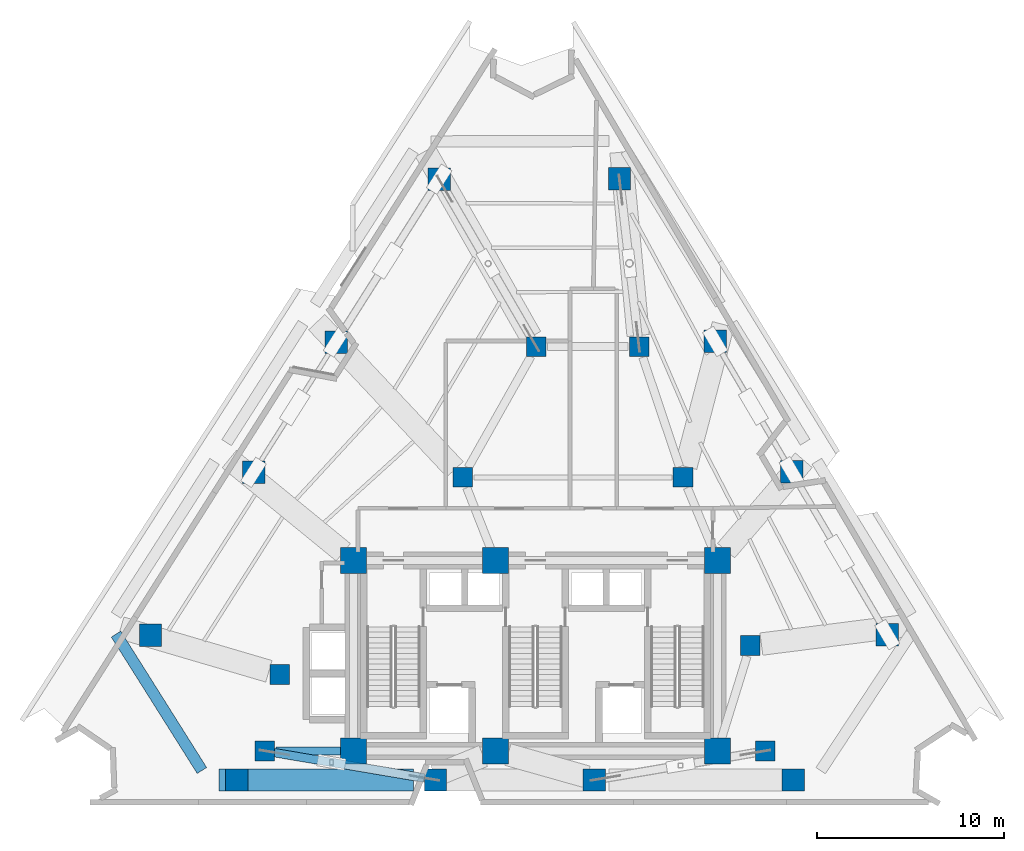
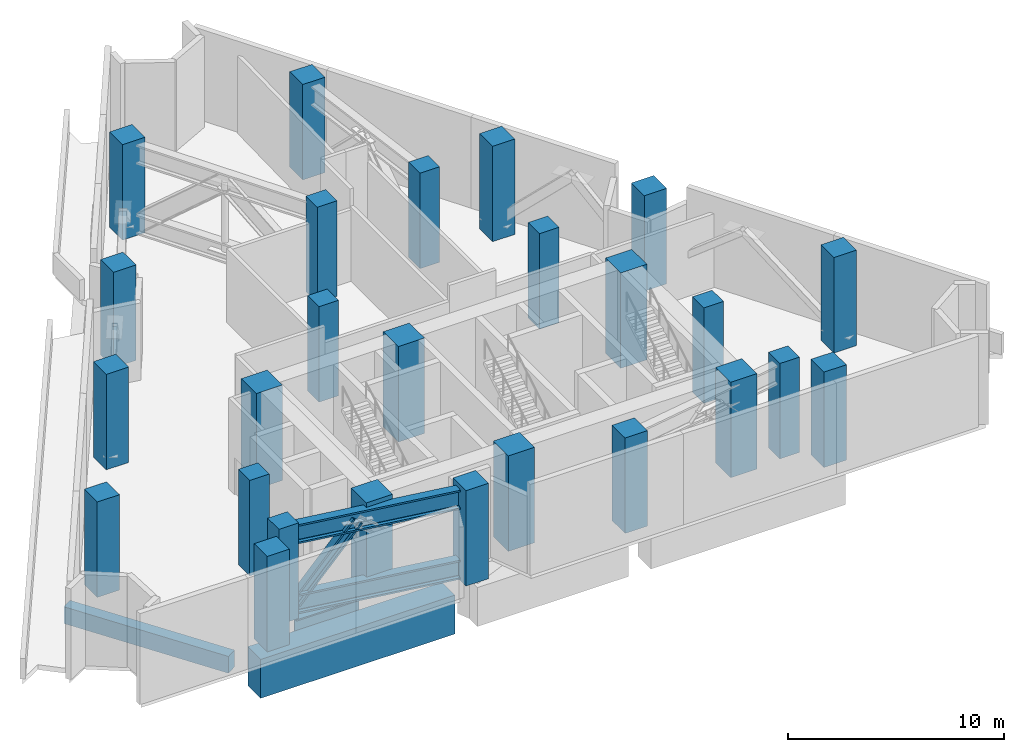
# One storey, part 1 of 9: 26 columns, 5 beams, 1 member.
"""IFC4 building model written with IfcOpenShell, lengths in metres."""

from ifc_helpers import new_model, si_unit, direction, frame, origin, origin_2d, place, context, subcontext, project, spatial, rectangle, i_section, extrude, material, material_profile, profile_set, type_object, element, save


model = new_model("IFC4")

# Units and contexts
model_context = context("Model", 3, precision=1e-05, world=origin(), true_north=direction((0.0, 1.0)))
body_context = subcontext(model_context, "Body", "Model", "MODEL_VIEW")
ifc_project = project(units=[si_unit("LENGTHUNIT", "METRE"), si_unit("AREAUNIT", "SQUARE_METRE"), si_unit("VOLUMEUNIT", "CUBIC_METRE"), si_unit("PLANEANGLEUNIT", "RADIAN"), si_unit("MASSUNIT", "GRAM", prefix="KILO")], contexts=[model_context])

# Site, building, storey
site_placement = place(None, origin())
site = spatial("IfcSite", under=ifc_project, at=site_placement, CompositionType="ELEMENT")
building_placement = place(site_placement, origin())
building = spatial("IfcBuilding", under=site, at=building_placement, Name="Almagre Mirador Tower", CompositionType="ELEMENT")
storey_placement = place(building_placement, frame((0.0, 0.0, 105.0)))
storey = spatial("IfcBuildingStorey", under=building, at=storey_placement, Name="L26", CompositionType="ELEMENT", Elevation=105.0)

# Columns
ifc_material_1 = material(Name="Concrete C60/75", Category="concrete")
ifc_material_profile_1 = material_profile(ifc_material_1, rectangle(XDim=1.050048828125, YDim=1.050048828125, at=origin_2d()), Name="RC1050X1050")
ifc_profile_set_1 = profile_set([ifc_material_profile_1], Name="Concrete C60/75")
column_type_1 = type_object("IfcColumnType", Name="COL-RC1050", PredefinedType="COLUMN", material=ifc_profile_set_1)
for number, where, z_axis, x_axis, name in (
    (1, (22.800048828125, 4.550048828125, 0.0), (0.0, 0.0, 1.0), (1.0, 0.0, 0.0), "L26 interior transfer column MC1"),
    (2, (49.60009765625, 4.550048828125, 0.0), (0.0, 0.0, 1.0), (1.0, 0.0, 0.0), "L26 interior transfer column MC2"),
    (3, (48.800048828125, 10.199951171875, 0.0), (0.0, 0.0, 1.0), (1.0, 0.0, 0.0), "L26 interior transfer column MC3"),
    (4, (45.199951171875, 19.199951171875, 0.0), (0.0, 0.0, 1.0), (1.0, 0.0, 0.0), "L26 interior transfer column MC5"),
    (5, (42.85009765625, 26.199951171875, 0.0), (0.0, 0.0, 1.0), (1.0, 0.0, 0.0), "L26 interior transfer column MC6"),
    (6, (37.35009765625, 26.199951171875, 0.0), (0.0, 0.0, 1.0), (1.0, 0.0, 0.0), "L26 interior transfer column MC7"),
    (7, (33.39990234375, 19.199951171875, 0.0), (0.0, 0.0, 1.0), (1.0, 0.0, 0.0), "L26 interior transfer column MC8"),
    (8, (23.60009765625, 8.64990234375, 0.0), (0.0, 0.0, 1.0), (1.0, 0.0, 0.0), "L26 interior transfer column MC10"),
):
    element("IfcColumn", number, at=place(storey_placement, frame(where, z_axis=z_axis, x_axis=x_axis)), inside=storey, type_object=column_type_1, Name=name, PredefinedType="COLUMN", context=body_context, shape_type="SweptSolid", body=[
        extrude(rectangle(XDim=1.050048828125, YDim=1.050048828125, at=origin_2d()), origin(), (0.0, 0.0, 1.0), 5.39990234375),
    ])
ifc_material_2 = material(Name="Concrete C60/75", Category="concrete")
ifc_material_profile_2 = material_profile(ifc_material_2, rectangle(XDim=1.199951171875, YDim=1.199951171875, at=origin_2d()), Name="RC1200X1200")
ifc_profile_set_2 = profile_set([ifc_material_profile_2], Name="Concrete C60/75")
column_type_2 = type_object("IfcColumnType", Name="COL-RC1200", PredefinedType="COLUMN", material=ifc_profile_set_2)
for number, where, z_axis, x_axis, name in (
    (9, (21.303955078125, 3.0, 0.0), (0.0, 0.0, 1.0), (1.0, 0.0, 0.0), "L26 perimeter column PC01"),
    (10, (31.944091796875, 3.0, 0.0), (0.0, 0.0, 1.0), (1.0, 0.0, 0.0), "L26 perimeter column PC02"),
    (11, (40.4560546875, 3.0, 0.0), (0.0, 0.0, 1.0), (1.0, 0.0, 0.0), "L26 perimeter column PC03"),
    (12, (51.095947265625, 3.0, 0.0), (0.0, 0.0, 1.0), (1.0, 0.0, 0.0), "L26 perimeter column PC04"),
    (13, (56.133056640625, 10.783935546875, 0.0), (0.0, 0.0, 1.0), (1.0, 0.0, 0.0), "L26 perimeter column PC05"),
    (14, (51.012939453125, 19.50390625, 0.0), (0.0, 0.0, 1.0), (1.0, 0.0, 0.0), "L26 perimeter column PC06"),
    (15, (46.9169921875, 26.47998046875, 0.0), (0.0, 0.0, 1.0), (1.0, 0.0, 0.0), "L26 perimeter column PC07"),
    (16, (41.797119140625, 35.199951171875, 0.0), (0.0, 0.0, 1.0), (1.0, 0.0, 0.0), "L26 perimeter column PC08"),
    (17, (32.14208984375, 35.166015625, 0.0), (0.0, 0.0, 1.0), (1.0, 0.0, 0.0), "L26 perimeter column PC09"),
    (18, (26.6220703125, 26.446044921875, 0.0), (0.0, 0.0, 1.0), (1.0, 0.0, 0.0), "L26 perimeter column PC10"),
    (19, (22.2060546875, 19.469970703125, 0.0), (0.0, 0.0, 1.0), (1.0, 0.0, 0.0), "L26 perimeter column PC11"),
    (20, (16.68603515625, 10.75, 0.0), (0.0, 0.0, 1.0), (1.0, 0.0, 0.0), "L26 perimeter column PC12"),
):
    element("IfcColumn", number, at=place(storey_placement, frame(where, z_axis=z_axis, x_axis=x_axis)), inside=storey, type_object=column_type_2, Name=name, PredefinedType="COLUMN", context=body_context, shape_type="SweptSolid", body=[
        extrude(rectangle(XDim=1.199951171875, YDim=1.199951171875, at=origin_2d()), origin(), (0.0, 0.0, 1.0), 5.39990234375),
    ])
ifc_material_3 = material(Name="Concrete C60/75", Category="concrete")
ifc_material_profile_3 = material_profile(ifc_material_3, rectangle(XDim=1.39990234375, YDim=1.39990234375, at=origin_2d()), Name="RC1400X1400")
ifc_profile_set_3 = profile_set([ifc_material_profile_3], Name="Concrete C60/75")
column_type_3 = type_object("IfcColumnType", Name="COL-RC1400", PredefinedType="COLUMN", material=ifc_profile_set_3)
for number, where, z_axis, x_axis, name in (
    (21, (27.550048828125, 4.550048828125, 0.0), (0.0, 0.0, 1.0), (1.0, 0.0, 0.0), "L26 core spine column CC1"),
    (22, (35.14990234375, 4.550048828125, 0.0), (0.0, 0.0, 1.0), (1.0, 0.0, 0.0), "L26 core spine column CC2"),
    (23, (47.050048828125, 4.550048828125, 0.0), (0.0, 0.0, 1.0), (1.0, 0.0, 0.0), "L26 core spine column CC3"),
    (24, (27.550048828125, 14.75, 0.0), (0.0, 0.0, 1.0), (1.0, 0.0, 0.0), "L26 core spine column CC4"),
    (25, (35.14990234375, 14.75, 0.0), (0.0, 0.0, 1.0), (1.0, 0.0, 0.0), "L26 core spine column CC5"),
    (26, (47.050048828125, 14.75, 0.0), (0.0, 0.0, 1.0), (1.0, 0.0, 0.0), "L26 core spine column CC6"),
):
    element("IfcColumn", number, at=place(storey_placement, frame(where, z_axis=z_axis, x_axis=x_axis)), inside=storey, type_object=column_type_3, Name=name, PredefinedType="COLUMN", context=body_context, shape_type="SweptSolid", body=[
        extrude(rectangle(XDim=1.39990234375, YDim=1.39990234375, at=origin_2d()), origin(), (0.0, 0.0, 1.0), 5.39990234375),
    ])

# Beams
ifc_material_4 = material(Name="Precast concrete C50/60", Category="concrete")
ifc_material_profile_4 = material_profile(ifc_material_4, rectangle(XDim=0.60009765625, YDim=0.949951171875, at=origin_2d()), Name="RC600X950")
ifc_profile_set_4 = profile_set([ifc_material_profile_4], Name="Precast concrete C50/60")
beam_type_1 = type_object("IfcBeamType", Name="BM-SPN-RC600X950", PredefinedType="SPANDREL", material=ifc_profile_set_4)
beam_1_placement = place(storey_placement, frame((14.841796875, 10.809326171875, -0.77490234375), z_axis=(0.532907818856, -0.846173301754, 0.0), x_axis=(0.846173301754, 0.532907818856, 0.0)))
element("IfcBeam", 27, at=beam_1_placement, inside=storey, type_object=beam_type_1, Name="L26 perimeter spandrel beam PC12-PC01", PredefinedType="SPANDREL", context=body_context, shape_type="SweptSolid", body=[
    extrude(rectangle(XDim=0.60009765625, YDim=0.949951171875, at=origin_2d()), origin(), (0.0, 0.0, 1.0), 8.62890625),
])
ifc_material_5 = material(Name="Steel ASTM A992 Grade 50", Category="steel")
ifc_material_profile_5 = material_profile(ifc_material_5, i_section(OverallWidth=0.43701171875, OverallDepth=1.010986328125, WebThickness=0.041015625, FlangeThickness=0.073974609375, FilletRadius=0.028076171875, at=origin_2d()), Name="W36X529")
ifc_profile_set_5 = profile_set([ifc_material_profile_5], Name="Steel ASTM A992 Grade 50")
beam_type_2 = type_object("IfcBeamType", Name="BM-STL-W36X529", PredefinedType="BEAM", material=ifc_profile_set_5)
beam_2_placement = place(storey_placement, frame((23.39990234375, 4.550048828125, -0.805419921875), z_axis=(1.0, 0.0, 0.0), x_axis=(0.0, 1.0, 0.0)))
element("IfcBeam", 28, at=beam_2_placement, inside=storey, type_object=beam_type_2, Name="L26 core tie girder MC1-CC1", PredefinedType="BEAM", context=body_context, shape_type="SweptSolid", body=[
    extrude(i_section(OverallWidth=0.43701171875, OverallDepth=1.010986328125, WebThickness=0.041015625, FlangeThickness=0.073974609375, FilletRadius=0.028076171875, at=origin_2d()), origin(), (0.0, 0.0, 1.0), 3.4501953125),
])
ifc_material_6 = material(Name="Steel ASTM A913 Grade 65", Category="steel")
ifc_material_profile_6 = material_profile(ifc_material_6, i_section(OverallWidth=0.45703125, OverallDepth=1.0869140625, WebThickness=0.060546875, FlangeThickness=0.093994140625, FilletRadius=0.028076171875, at=origin_2d()), Name="W36X800")
ifc_profile_set_6 = profile_set([ifc_material_profile_6], Name="Steel ASTM A913 Grade 65")
beam_type_3 = type_object("IfcBeamType", Name="BM-STL-W36X800", PredefinedType="BEAM", material=ifc_profile_set_6)
for number, where, z_axis, x_axis, name in (
    (29, (31.352294921875, 3.100341796875, 0.64990234375), (-0.985933453944, 0.167138339093, 0.0), (-0.167138339093, -0.985933453944, 0.0), "L26 outrigger truss 1 bottom chord"),
    (30, (31.352294921875, 3.100341796875, 4.6064453125), (-0.985933453944, 0.167138339093, 0.0), (-0.167138339093, -0.985933453944, 0.0), "L26 outrigger truss 1 top chord"),
):
    element("IfcBeam", number, at=place(storey_placement, frame(where, z_axis=z_axis, x_axis=x_axis)), inside=storey, type_object=beam_type_3, Name=name, PredefinedType="BEAM", context=body_context, shape_type="SweptSolid", body=[
        extrude(i_section(OverallWidth=0.45703125, OverallDepth=1.0869140625, WebThickness=0.060546875, FlangeThickness=0.093994140625, FilletRadius=0.028076171875, at=origin_2d()), origin(), (0.0, 0.0, 1.0), 8.1494140625),
    ])
ifc_material_7 = material(Name="Concrete C60/75", Category="concrete")
ifc_material_profile_7 = material_profile(ifc_material_7, rectangle(XDim=1.199951171875, YDim=2.199951171875, at=origin_2d()), Name="RC1200X2200")
ifc_profile_set_7 = profile_set([ifc_material_profile_7], Name="Concrete C60/75")
beam_type_4 = type_object("IfcBeamType", Name="BM-XFER-RC1200X2200", PredefinedType="BEAM", material=ifc_profile_set_7)
beam_3_placement = place(storey_placement, frame((20.360107421875, 3.0, -1.39990234375), z_axis=(1.0, 0.0, 0.0), x_axis=(0.0, 1.0, 0.0)))
element("IfcBeam", 31, at=beam_3_placement, inside=storey, type_object=beam_type_4, Name="L26 perimeter spandrel beam PC01-PC02", PredefinedType="BEAM", context=body_context, shape_type="SweptSolid", body=[
    extrude(rectangle(XDim=1.199951171875, YDim=2.199951171875, at=origin_2d()), origin(), (0.0, 0.0, 1.0), 10.39990234375),
])

# Member
ifc_material_8 = material(Name="Steel ASTM A913 Grade 65", Category="steel")
ifc_material_profile_8 = material_profile(ifc_material_8, i_section(OverallWidth=0.4541015625, OverallDepth=0.570068359375, WebThickness=0.077880859375, FlangeThickness=0.093994140625, FilletRadius=0.02001953125, at=origin_2d()), Name="W14X730")
ifc_profile_set_8 = profile_set([ifc_material_profile_8], Name="Steel ASTM A913 Grade 65")
member_type = type_object("IfcMemberType", Name="MBR-BRC-W14X730", PredefinedType="BRACE", material=ifc_profile_set_8)
member_placement = place(storey_placement, frame((26.370849609375, 3.944580078125, 4.6064453125), z_axis=(-0.607679714715, 0.103061624413, -0.78746661256), x_axis=(-0.167210841295, -0.985921160415, 0.0)))
element("IfcMember", 32, at=member_placement, inside=storey, type_object=member_type, Name="L26 outrigger truss 1 diagonal 2", PredefinedType="BRACE", context=body_context, shape_type="SweptSolid", body=[
    extrude(i_section(OverallWidth=0.4541015625, OverallDepth=0.570068359375, WebThickness=0.077880859375, FlangeThickness=0.093994140625, FilletRadius=0.02001953125, at=origin_2d()), origin(), (0.0, 0.0, 1.0), 5.0244140625),
])

save(model, "model.ifc")
